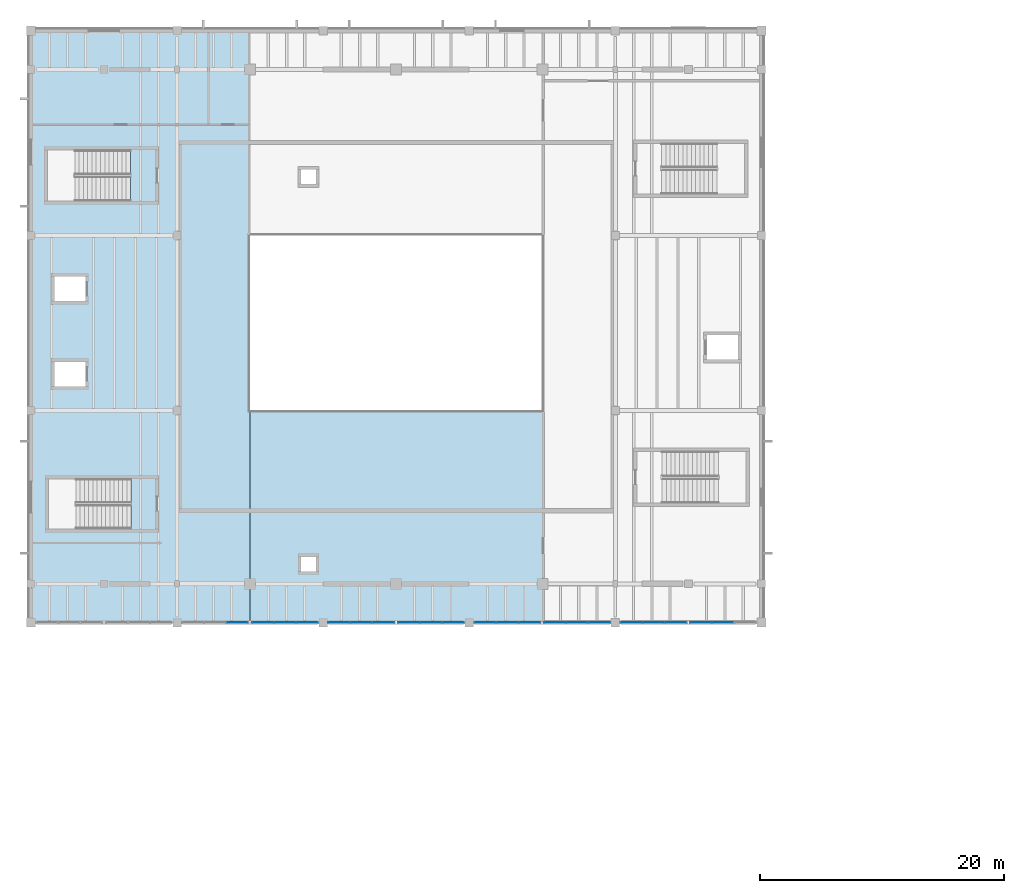
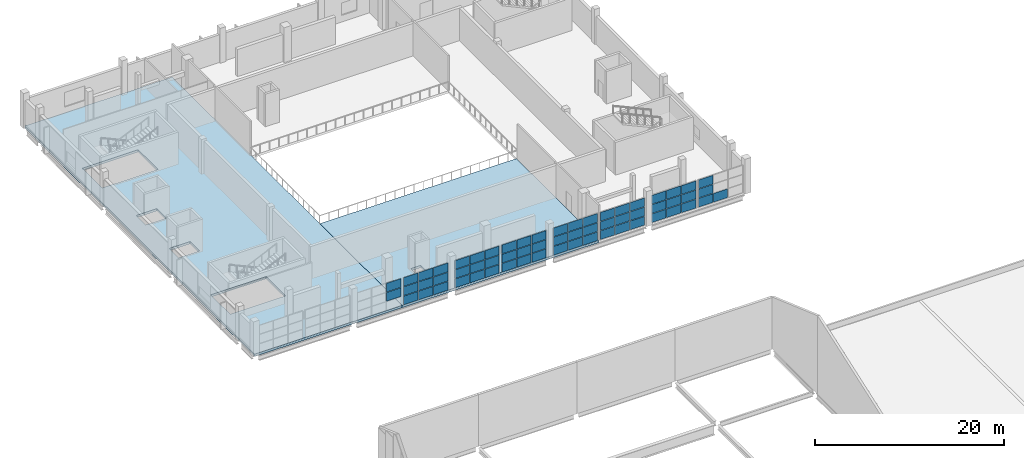
# One storey, part 41 of 63: 60 plates, 2 slabs, 8 elements without a shape of their own.
"""IFC4 building model written with IfcOpenShell, lengths in metres."""

import ifcopenshell
import ifcopenshell.guid

model = None  # the IFC model being written
_history = None  # IfcOwnerHistory: only IFC2X3 demands one
_inside = {}  # id of a spatial element -> (the spatial element, [elements in it])
_under = {}  # id of a project, library or spatial element -> (it, [spatial elements below it])
_declared = {}  # id of a project -> (the project, [libraries it declares])
_typed = {}  # id of a type object -> (the type object, [elements of that type])
_made_of = {}  # id of a material, layer set ... -> (it, [elements and type objects made of it])


def new_model(schema):
    """Start an empty IFC model of exactly this schema.

    Asked for "IFC4X3", IfcOpenShell would pick the latest addendum, in which some entities
    have other attributes; the version numbers below select the first issue.
    IFC2X3 requires an IfcOwnerHistory on every rooted entity: one is made here for all.
    """
    global model, _history
    if schema == "IFC4X3":
        model = ifcopenshell.file(schema_version=(4, 3, 0, 0))
    else:
        model = ifcopenshell.file(schema=schema)
    _inside.clear()
    _under.clear()
    _declared.clear()
    _typed.clear()
    _made_of.clear()
    _history = None
    if model.schema == "IFC2X3":
        org = make("IfcOrganization", Name="unknown")
        user = make(
            "IfcPersonAndOrganization",
            ThePerson=make("IfcPerson", FamilyName="unknown"),
            TheOrganization=org,
        )
        app = make(
            "IfcApplication",
            ApplicationDeveloper=org,
            Version="unknown",
            ApplicationFullName="unknown",
            ApplicationIdentifier="unknown",
        )
        _history = make(
            "IfcOwnerHistory",
            OwningUser=user,
            OwningApplication=app,
            ChangeAction="ADDED",
            CreationDate=0,
        )
    return model


def make(cls, **values):
    """One entity of the class cls with the attributes given. An attribute that is None is left unset."""
    return model.create_entity(
        cls, **{name: value for name, value in values.items() if value is not None}
    )


def rooted(cls, **values):
    """An entity with a GlobalId (a new one), such as an element, a storey or a relation."""
    return make(cls, GlobalId=ifcopenshell.guid.new(), OwnerHistory=_history, **values)


def si_unit(unit_type, name, prefix=None):
    """IfcSIUnit, for example si_unit("LENGTHUNIT", "METRE", prefix="MILLI")."""
    return make("IfcSIUnit", UnitType=unit_type, Prefix=prefix, Name=name)


def assignment(units):
    """IfcUnitAssignment: the units of a project."""
    return None if units is None else make("IfcUnitAssignment", Units=units)


def point(xyz):
    """IfcCartesianPoint."""
    return None if xyz is None else make("IfcCartesianPoint", Coordinates=xyz)


def direction(xyz):
    """IfcDirection."""
    return None if xyz is None else make("IfcDirection", DirectionRatios=xyz)


def frame(location, z_axis=None, x_axis=None):
    """IfcAxis2Placement3D, a coordinate frame: its origin and axes. An axis left out is left unset."""
    return make(
        "IfcAxis2Placement3D",
        Location=point(location),
        Axis=direction(z_axis),
        RefDirection=direction(x_axis),
    )


def frame_2d(location, x_axis=None):
    """IfcAxis2Placement2D, a coordinate frame in the plane: its origin and x axis."""
    return make(
        "IfcAxis2Placement2D", Location=point(location), RefDirection=direction(x_axis)
    )


def origin():
    """The frame at (0, 0, 0) with its axes left unset."""
    return frame((0.0, 0.0, 0.0))


def origin_2d():
    """The frame at (0, 0) in the plane with its x axis left unset."""
    return frame_2d((0.0, 0.0))


def place(relative_to, where):
    """IfcLocalPlacement: puts the frame where relative to a parent placement (None: the world)."""
    return make(
        "IfcLocalPlacement", PlacementRelTo=relative_to, RelativePlacement=where
    )


def context(
    kind, dimensions, precision=None, world=None, true_north=None, identifier=None
):
    """IfcGeometricRepresentationContext, for example the 3D "Model" context."""
    return make(
        "IfcGeometricRepresentationContext",
        ContextIdentifier=identifier,
        ContextType=kind,
        CoordinateSpaceDimension=dimensions,
        Precision=precision,
        WorldCoordinateSystem=world,
        TrueNorth=true_north,
    )


def subcontext(parent, identifier, kind, view, scale=None):
    """IfcGeometricRepresentationSubContext, for example "Body" below "Model"."""
    return make(
        "IfcGeometricRepresentationSubContext",
        ContextIdentifier=identifier,
        ContextType=kind,
        ParentContext=parent,
        TargetScale=scale,
        TargetView=view,
    )


def project(units=None, contexts=None):
    """IfcProject with its units and contexts."""
    return rooted(
        "IfcProject",
        Name="project",
        RepresentationContexts=contexts,
        UnitsInContext=assignment(units),
    )


def spatial(cls, under=None, at=None, **own):
    """A site, building, storey or space (cls), placed at a placement, below another one or the project."""
    s = rooted(cls, ObjectPlacement=at, **own)
    if under is not None:
        _under.setdefault(under.id(), (under, []))[1].append(s)
    return s


def polyline(points):
    """IfcPolyline through the points."""
    return make("IfcPolyline", Points=[point(p) for p in points])


def profile(cls, at=None, kind="AREA", **sizes):
    """A parametric profile (cls). Its sizes go by their IFC names, for example OverallWidth=200.0."""
    return make(cls, ProfileType=kind, Position=at, **sizes)


def rectangle(**sizes):
    """IfcRectangleProfileDef."""
    return profile("IfcRectangleProfileDef", **sizes)


def outline(outer, holes=None, kind="AREA"):
    """IfcArbitraryClosedProfileDef: a profile drawn as a closed curve; with holes, ...WithVoids."""
    if holes is None:
        return make("IfcArbitraryClosedProfileDef", ProfileType=kind, OuterCurve=outer)
    return make(
        "IfcArbitraryProfileDefWithVoids",
        ProfileType=kind,
        OuterCurve=outer,
        InnerCurves=holes,
    )


def extrude(swept, where, along, depth):
    """IfcExtrudedAreaSolid: the profile swept, set in the frame where, extruded along a direction by depth."""
    return make(
        "IfcExtrudedAreaSolid",
        SweptArea=swept,
        Position=where,
        ExtrudedDirection=direction(along),
        Depth=depth,
    )


def shape(context_of_items, identifier, shape_type, items):
    """IfcShapeRepresentation: the items that make up one representation, for example the "Body"."""
    return make(
        "IfcShapeRepresentation",
        ContextOfItems=context_of_items,
        RepresentationIdentifier=identifier,
        RepresentationType=shape_type,
        Items=items,
    )


def material(Name=None, Category=None):
    """IfcMaterial."""
    return make("IfcMaterial", Name=Name, Category=Category)


def layer(
    of_material, thickness, ventilated=None, Name=None, Category=None, Priority=None
):
    """IfcMaterialLayer: one layer of a wall or slab, of a material (None: an air gap)."""
    return make(
        "IfcMaterialLayer",
        Material=of_material,
        LayerThickness=thickness,
        IsVentilated=ventilated,
        Name=Name,
        Category=Category,
        Priority=Priority,
    )


def layer_set(layers, Name=None):
    """IfcMaterialLayerSet."""
    return make("IfcMaterialLayerSet", MaterialLayers=layers, LayerSetName=Name)


def made_of(thing, what):
    """Note that an element or type object is made of a material, layer set ...; save() writes the relation."""
    if what is not None:
        _made_of.setdefault(what.id(), (what, []))[1].append(thing)
    return thing


def type_object(cls, material=None, **own):
    """A type object (cls), such as IfcWallType, which elements share."""
    return made_of(rooted(cls, **own), material)


def element(
    cls,
    number,
    at=None,
    inside=None,
    cuts=None,
    type_object=None,
    material=None,
    context=None,
    identifier="Body",
    shape_type=None,
    held_by="IfcProductDefinitionShape",
    body=None,
    shapes=None,
    **own,
):
    """One element of the class cls, such as IfcWall. Its Tag is "e" and its number.

    at: its placement. inside: the storey or other place that contains it. cuts: it is an
    opening in that element (IfcRelVoidsElement). A single representation is given by context,
    identifier, shape_type and body (its items); several are given by shapes. held_by: the class
    of the entity that holds the representations. save() writes the other relations.
    """
    e = rooted(cls, Tag="e%d" % number, ObjectPlacement=at, **own)
    if body is not None:
        shapes = [shape(context, identifier, shape_type, body)]
    if shapes is not None:
        e.Representation = make(held_by, Representations=shapes)
    if inside is not None:
        _inside.setdefault(inside.id(), (inside, []))[1].append(e)
    if cuts is not None:
        rooted(
            "IfcRelVoidsElement", RelatingBuildingElement=cuts, RelatedOpeningElement=e
        )
    if type_object is not None:
        _typed.setdefault(type_object.id(), (type_object, []))[1].append(e)
    return made_of(e, material)


def aggregate(whole, parts):
    """IfcRelAggregates: a whole, such as a stair, and the parts it consists of."""
    return rooted("IfcRelAggregates", RelatingObject=whole, RelatedObjects=parts)


def save(model, path):
    """Write the relations noted so far, then the file.

    IfcRelAggregates (storeys below a building ...), IfcRelContainedInSpatialStructure (elements
    in a storey), IfcRelDefinesByType, IfcRelAssociatesMaterial and IfcRelDeclares: one each for
    every whole, place, type object, material and project.
    """
    for whole, parts in _under.values():
        aggregate(whole, parts)
    for where, things in _inside.values():
        rooted(
            "IfcRelContainedInSpatialStructure",
            RelatedElements=things,
            RelatingStructure=where,
        )
    for kind, things in _typed.values():
        rooted("IfcRelDefinesByType", RelatedObjects=things, RelatingType=kind)
    for what, things in _made_of.values():
        rooted("IfcRelAssociatesMaterial", RelatedObjects=things, RelatingMaterial=what)
    for by, libraries in _declared.values():
        rooted("IfcRelDeclares", RelatingContext=by, RelatedDefinitions=libraries)
    model.write(path)


model = new_model("IFC4")

# Units and contexts
model_context = context("Model", 3, precision=1e-05, world=origin(), true_north=direction((0.0, 1.0)))
body_context = subcontext(model_context, "Body", "Model", "MODEL_VIEW")
ifc_project = project(units=[si_unit("LENGTHUNIT", "METRE"), si_unit("AREAUNIT", "SQUARE_METRE"), si_unit("VOLUMEUNIT", "CUBIC_METRE"), si_unit("PLANEANGLEUNIT", "RADIAN"), si_unit("MASSUNIT", "GRAM", prefix="KILO")], contexts=[model_context])

# Site, building, storey
site_placement = place(None, origin())
site = spatial("IfcSite", under=ifc_project, at=site_placement, CompositionType="ELEMENT")
building_placement = place(site_placement, origin())
building = spatial("IfcBuilding", under=site, at=building_placement, Name="Kelmvaro Bay Concert Hall", CompositionType="ELEMENT")
storey_placement = place(building_placement, frame((0.0, 0.0, 13.800048828125)))
storey = spatial("IfcBuildingStorey", under=building, at=storey_placement, Name="L03", CompositionType="ELEMENT", Elevation=13.800048828125)

# Slabs
ifc_material_1 = material(Name="Concrete C40/50", Category="concrete")
ifc_layer_1 = layer(ifc_material_1, 0.300048828125)
ifc_layer_set_1 = layer_set([ifc_layer_1], Name="Concrete C40/50")
slab_type = type_object("IfcSlabType", Name="Auditorium Tier Structural Slab 300", PredefinedType="FLOOR", material=ifc_layer_set_1)
slab_1_placement = place(storey_placement, frame((0.0, 0.0, -0.300048828125)))
element("IfcSlab", 1, at=slab_1_placement, inside=storey, type_object=slab_type, Name="L03 Structural Slab V1-W", PredefinedType="FLOOR", context=body_context, shape_type="SweptSolid", body=[
    extrude(outline(polyline([(0.0, 65.39990234375), (18.0, 65.39990234375), (18.0, 114.0), (0.0, 114.0), (0.0, 65.39990234375)]), holes=[polyline([(1.45068359375, 73.090576171875), (8.219482421875, 73.090576171875), (8.219482421875, 77.199462890625), (1.45068359375, 77.199462890625), (1.45068359375, 73.090576171875)]), polyline([(1.3505859375, 100.010498046875), (8.179443359375, 100.010498046875), (8.179443359375, 104.199462890625), (1.3505859375, 104.199462890625), (1.3505859375, 100.010498046875)]), polyline([(1.925048828125, 84.800048828125), (4.47509765625, 84.800048828125), (4.47509765625, 86.800048828125), (1.925048828125, 86.800048828125), (1.925048828125, 84.800048828125)]), polyline([(1.925048828125, 91.800048828125), (4.47509765625, 91.800048828125), (4.47509765625, 93.800048828125), (1.925048828125, 93.800048828125), (1.925048828125, 91.800048828125)])]), origin(), (0.0, 0.0, 1.0), 0.300048828125),
])
slab_2_placement = place(storey_placement, frame((0.0, 0.0, -0.300048828125)))
element("IfcSlab", 2, at=slab_2_placement, inside=storey, type_object=slab_type, Name="L03 Structural Slab V1-M", PredefinedType="FLOOR", context=body_context, shape_type="SweptSolid", body=[
    extrude(outline(polyline([(18.0, 65.39990234375), (42.0, 65.39990234375), (42.0, 82.800048828125), (18.0, 82.800048828125), (18.0, 65.39990234375)]), holes=[polyline([(22.199951171875, 69.60009765625), (23.39990234375, 69.60009765625), (23.39990234375, 70.800048828125), (22.199951171875, 70.800048828125), (22.199951171875, 69.60009765625)])]), origin(), (0.0, 0.0, 1.0), 0.300048828125),
])

# Curtain wall, plates
ifc_material_2 = material(Name="Anodised Aluminium and Low-E Insulated Glazing", Category="aluminium")
curtain_wall_type = type_object("IfcCurtainWallType", Name="Symphony South Gallery Curtain Wall 3920", PredefinedType="USERDEFINED", material=ifc_material_2)
curtain_wall_1_placement = place(storey_placement, origin())
curtain_wall_1 = element("IfcCurtainWall", 3, at=curtain_wall_1_placement, inside=storey, type_object=curtain_wall_type, Name="Unitised Curtain Wall CW-L03-022", ObjectType="UNITISED GLAZING", PredefinedType="USERDEFINED")
ifc_material_3 = material(Name="Laminated Low-E Insulated Glass", Category="glass")
ifc_layer_2 = layer(ifc_material_3, 1.85009765625)
ifc_layer_set_2 = layer_set([ifc_layer_2], Name="Laminated Low-E Insulated Glass")
plate_type = type_object("IfcPlateType", Name="Symphony Foyer Triple Acoustic Glass 60", PredefinedType="CURTAIN_PANEL", material=ifc_layer_set_2)
plate_1_placement = place(storey_placement, frame((16.95068359375, 65.39990234375, 1.22216796875), z_axis=(0.0, 0.0, 1.0), x_axis=(-1.0, 0.0, 0.0)))
plate_1 = element("IfcPlate", 4, at=plate_1_placement, type_object=plate_type, Name="CW-L03-022 Insulated Glazing Panel 01-2", PredefinedType="CURTAIN_PANEL", context=body_context, shape_type="SweptSolid", body=[
    extrude(rectangle(XDim=1.75341796875, YDim=0.06005859375, at=origin_2d()), origin(), (0.0, 0.0, 1.0), 1.12451171875),
])
plate_2_placement = place(storey_placement, frame((16.95068359375, 65.39990234375, 2.41162109375), z_axis=(0.0, 0.0, 1.0), x_axis=(-1.0, 0.0, 0.0)))
plate_2 = element("IfcPlate", 5, at=plate_2_placement, type_object=plate_type, Name="CW-L03-022 Insulated Glazing Panel 01-3", PredefinedType="CURTAIN_PANEL", context=body_context, shape_type="SweptSolid", body=[
    extrude(rectangle(XDim=1.75341796875, YDim=0.06005859375, at=origin_2d()), origin(), (0.0, 0.0, 1.0), 1.124755859375),
])
aggregate(curtain_wall_1, [plate_1, plate_2])

curtain_wall_2_placement = place(storey_placement, origin())
curtain_wall_2 = element("IfcCurtainWall", 6, at=curtain_wall_2_placement, inside=storey, type_object=curtain_wall_type, Name="Unitised Curtain Wall CW-L03-023", ObjectType="UNITISED GLAZING", PredefinedType="USERDEFINED")
plate_3_placement = place(storey_placement, frame((22.685791015625, 65.39990234375, 0.0322265625), z_axis=(0.0, 0.0, 1.0), x_axis=(-1.0, 0.0, 0.0)))
plate_3 = element("IfcPlate", 7, at=plate_3_placement, type_object=plate_type, Name="CW-L03-023 Insulated Glazing Panel 01-1", PredefinedType="CURTAIN_PANEL", context=body_context, shape_type="SweptSolid", body=[
    extrude(rectangle(XDim=1.75341796875, YDim=0.06005859375, at=origin_2d()), origin(), (0.0, 0.0, 1.0), 1.124755859375),
])
plate_4_placement = place(storey_placement, frame((22.685791015625, 65.39990234375, 1.22216796875), z_axis=(0.0, 0.0, 1.0), x_axis=(-1.0, 0.0, 0.0)))
plate_4 = element("IfcPlate", 8, at=plate_4_placement, type_object=plate_type, Name="CW-L03-023 Insulated Glazing Panel 01-2", PredefinedType="CURTAIN_PANEL", context=body_context, shape_type="SweptSolid", body=[
    extrude(rectangle(XDim=1.75341796875, YDim=0.06005859375, at=origin_2d()), origin(), (0.0, 0.0, 1.0), 1.12451171875),
])
plate_5_placement = place(storey_placement, frame((22.685791015625, 65.39990234375, 2.41162109375), z_axis=(0.0, 0.0, 1.0), x_axis=(-1.0, 0.0, 0.0)))
plate_5 = element("IfcPlate", 9, at=plate_5_placement, type_object=plate_type, Name="CW-L03-023 Insulated Glazing Panel 01-3", PredefinedType="CURTAIN_PANEL", context=body_context, shape_type="SweptSolid", body=[
    extrude(rectangle(XDim=1.75341796875, YDim=0.06005859375, at=origin_2d()), origin(), (0.0, 0.0, 1.0), 1.124755859375),
])
plate_6_placement = place(storey_placement, frame((20.867431640625, 65.39990234375, 0.0322265625), z_axis=(0.0, 0.0, 1.0), x_axis=(-1.0, 0.0, 0.0)))
plate_6 = element("IfcPlate", 10, at=plate_6_placement, type_object=plate_type, Name="CW-L03-023 Insulated Glazing Panel 02-1", PredefinedType="CURTAIN_PANEL", context=body_context, shape_type="SweptSolid", body=[
    extrude(rectangle(XDim=1.75341796875, YDim=0.06005859375, at=origin_2d()), origin(), (0.0, 0.0, 1.0), 1.124755859375),
])
plate_7_placement = place(storey_placement, frame((20.867431640625, 65.39990234375, 1.22216796875), z_axis=(0.0, 0.0, 1.0), x_axis=(-1.0, 0.0, 0.0)))
plate_7 = element("IfcPlate", 11, at=plate_7_placement, type_object=plate_type, Name="CW-L03-023 Insulated Glazing Panel 02-2", PredefinedType="CURTAIN_PANEL", context=body_context, shape_type="SweptSolid", body=[
    extrude(rectangle(XDim=1.75341796875, YDim=0.06005859375, at=origin_2d()), origin(), (0.0, 0.0, 1.0), 1.12451171875),
])
plate_8_placement = place(storey_placement, frame((20.867431640625, 65.39990234375, 2.41162109375), z_axis=(0.0, 0.0, 1.0), x_axis=(-1.0, 0.0, 0.0)))
plate_8 = element("IfcPlate", 12, at=plate_8_placement, type_object=plate_type, Name="CW-L03-023 Insulated Glazing Panel 02-3", PredefinedType="CURTAIN_PANEL", context=body_context, shape_type="SweptSolid", body=[
    extrude(rectangle(XDim=1.75341796875, YDim=0.06005859375, at=origin_2d()), origin(), (0.0, 0.0, 1.0), 1.124755859375),
])
plate_9_placement = place(storey_placement, frame((19.04931640625, 65.39990234375, 0.0322265625), z_axis=(0.0, 0.0, 1.0), x_axis=(-1.0, 0.0, 0.0)))
plate_9 = element("IfcPlate", 13, at=plate_9_placement, type_object=plate_type, Name="CW-L03-023 Insulated Glazing Panel 03-1", PredefinedType="CURTAIN_PANEL", context=body_context, shape_type="SweptSolid", body=[
    extrude(rectangle(XDim=1.75341796875, YDim=0.06005859375, at=origin_2d()), origin(), (0.0, 0.0, 1.0), 1.124755859375),
])
plate_10_placement = place(storey_placement, frame((19.04931640625, 65.39990234375, 1.22216796875), z_axis=(0.0, 0.0, 1.0), x_axis=(-1.0, 0.0, 0.0)))
plate_10 = element("IfcPlate", 14, at=plate_10_placement, type_object=plate_type, Name="CW-L03-023 Insulated Glazing Panel 03-2", PredefinedType="CURTAIN_PANEL", context=body_context, shape_type="SweptSolid", body=[
    extrude(rectangle(XDim=1.75341796875, YDim=0.06005859375, at=origin_2d()), origin(), (0.0, 0.0, 1.0), 1.12451171875),
])
plate_11_placement = place(storey_placement, frame((19.04931640625, 65.39990234375, 2.41162109375), z_axis=(0.0, 0.0, 1.0), x_axis=(-1.0, 0.0, 0.0)))
plate_11 = element("IfcPlate", 15, at=plate_11_placement, type_object=plate_type, Name="CW-L03-023 Insulated Glazing Panel 03-3", PredefinedType="CURTAIN_PANEL", context=body_context, shape_type="SweptSolid", body=[
    extrude(rectangle(XDim=1.75341796875, YDim=0.06005859375, at=origin_2d()), origin(), (0.0, 0.0, 1.0), 1.124755859375),
])
aggregate(curtain_wall_2, [plate_3, plate_4, plate_5, plate_6, plate_7, plate_8, plate_9, plate_10, plate_11])

curtain_wall_3_placement = place(storey_placement, origin())
curtain_wall_3 = element("IfcCurtainWall", 16, at=curtain_wall_3_placement, inside=storey, type_object=curtain_wall_type, Name="Unitised Curtain Wall CW-L03-024", ObjectType="UNITISED GLAZING", PredefinedType="USERDEFINED")
plate_12_placement = place(storey_placement, frame((28.95068359375, 65.39990234375, 0.0322265625), z_axis=(0.0, 0.0, 1.0), x_axis=(-1.0, 0.0, 0.0)))
plate_12 = element("IfcPlate", 17, at=plate_12_placement, type_object=plate_type, Name="CW-L03-024 Insulated Glazing Panel 01-1", PredefinedType="CURTAIN_PANEL", context=body_context, shape_type="SweptSolid", body=[
    extrude(rectangle(XDim=1.75341796875, YDim=0.06005859375, at=origin_2d()), origin(), (0.0, 0.0, 1.0), 1.124755859375),
])
plate_13_placement = place(storey_placement, frame((28.95068359375, 65.39990234375, 1.22216796875), z_axis=(0.0, 0.0, 1.0), x_axis=(-1.0, 0.0, 0.0)))
plate_13 = element("IfcPlate", 18, at=plate_13_placement, type_object=plate_type, Name="CW-L03-024 Insulated Glazing Panel 01-2", PredefinedType="CURTAIN_PANEL", context=body_context, shape_type="SweptSolid", body=[
    extrude(rectangle(XDim=1.75341796875, YDim=0.06005859375, at=origin_2d()), origin(), (0.0, 0.0, 1.0), 1.12451171875),
])
plate_14_placement = place(storey_placement, frame((28.95068359375, 65.39990234375, 2.41162109375), z_axis=(0.0, 0.0, 1.0), x_axis=(-1.0, 0.0, 0.0)))
plate_14 = element("IfcPlate", 19, at=plate_14_placement, type_object=plate_type, Name="CW-L03-024 Insulated Glazing Panel 01-3", PredefinedType="CURTAIN_PANEL", context=body_context, shape_type="SweptSolid", body=[
    extrude(rectangle(XDim=1.75341796875, YDim=0.06005859375, at=origin_2d()), origin(), (0.0, 0.0, 1.0), 1.124755859375),
])
plate_15_placement = place(storey_placement, frame((27.132568359375, 65.39990234375, 0.0322265625), z_axis=(0.0, 0.0, 1.0), x_axis=(-1.0, 0.0, 0.0)))
plate_15 = element("IfcPlate", 20, at=plate_15_placement, type_object=plate_type, Name="CW-L03-024 Insulated Glazing Panel 02-1", PredefinedType="CURTAIN_PANEL", context=body_context, shape_type="SweptSolid", body=[
    extrude(rectangle(XDim=1.75341796875, YDim=0.06005859375, at=origin_2d()), origin(), (0.0, 0.0, 1.0), 1.124755859375),
])
plate_16_placement = place(storey_placement, frame((27.132568359375, 65.39990234375, 1.22216796875), z_axis=(0.0, 0.0, 1.0), x_axis=(-1.0, 0.0, 0.0)))
plate_16 = element("IfcPlate", 21, at=plate_16_placement, type_object=plate_type, Name="CW-L03-024 Insulated Glazing Panel 02-2", PredefinedType="CURTAIN_PANEL", context=body_context, shape_type="SweptSolid", body=[
    extrude(rectangle(XDim=1.75341796875, YDim=0.06005859375, at=origin_2d()), origin(), (0.0, 0.0, 1.0), 1.12451171875),
])
plate_17_placement = place(storey_placement, frame((27.132568359375, 65.39990234375, 2.41162109375), z_axis=(0.0, 0.0, 1.0), x_axis=(-1.0, 0.0, 0.0)))
plate_17 = element("IfcPlate", 22, at=plate_17_placement, type_object=plate_type, Name="CW-L03-024 Insulated Glazing Panel 02-3", PredefinedType="CURTAIN_PANEL", context=body_context, shape_type="SweptSolid", body=[
    extrude(rectangle(XDim=1.75341796875, YDim=0.06005859375, at=origin_2d()), origin(), (0.0, 0.0, 1.0), 1.124755859375),
])
plate_18_placement = place(storey_placement, frame((25.314208984375, 65.39990234375, 0.0322265625), z_axis=(0.0, 0.0, 1.0), x_axis=(-1.0, 0.0, 0.0)))
plate_18 = element("IfcPlate", 23, at=plate_18_placement, type_object=plate_type, Name="CW-L03-024 Insulated Glazing Panel 03-1", PredefinedType="CURTAIN_PANEL", context=body_context, shape_type="SweptSolid", body=[
    extrude(rectangle(XDim=1.75341796875, YDim=0.06005859375, at=origin_2d()), origin(), (0.0, 0.0, 1.0), 1.124755859375),
])
plate_19_placement = place(storey_placement, frame((25.314208984375, 65.39990234375, 1.22216796875), z_axis=(0.0, 0.0, 1.0), x_axis=(-1.0, 0.0, 0.0)))
plate_19 = element("IfcPlate", 24, at=plate_19_placement, type_object=plate_type, Name="CW-L03-024 Insulated Glazing Panel 03-2", PredefinedType="CURTAIN_PANEL", context=body_context, shape_type="SweptSolid", body=[
    extrude(rectangle(XDim=1.75341796875, YDim=0.06005859375, at=origin_2d()), origin(), (0.0, 0.0, 1.0), 1.12451171875),
])
plate_20_placement = place(storey_placement, frame((25.314208984375, 65.39990234375, 2.41162109375), z_axis=(0.0, 0.0, 1.0), x_axis=(-1.0, 0.0, 0.0)))
plate_20 = element("IfcPlate", 25, at=plate_20_placement, type_object=plate_type, Name="CW-L03-024 Insulated Glazing Panel 03-3", PredefinedType="CURTAIN_PANEL", context=body_context, shape_type="SweptSolid", body=[
    extrude(rectangle(XDim=1.75341796875, YDim=0.06005859375, at=origin_2d()), origin(), (0.0, 0.0, 1.0), 1.124755859375),
])
aggregate(curtain_wall_3, [plate_12, plate_13, plate_14, plate_15, plate_16, plate_17, plate_18, plate_19, plate_20])

curtain_wall_4_placement = place(storey_placement, origin())
curtain_wall_4 = element("IfcCurtainWall", 26, at=curtain_wall_4_placement, inside=storey, type_object=curtain_wall_type, Name="Unitised Curtain Wall CW-L03-025", ObjectType="UNITISED GLAZING", PredefinedType="USERDEFINED")
plate_21_placement = place(storey_placement, frame((34.685791015625, 65.39990234375, 0.0322265625), z_axis=(0.0, 0.0, 1.0), x_axis=(-1.0, 0.0, 0.0)))
plate_21 = element("IfcPlate", 27, at=plate_21_placement, type_object=plate_type, Name="CW-L03-025 Insulated Glazing Panel 01-1", PredefinedType="CURTAIN_PANEL", context=body_context, shape_type="SweptSolid", body=[
    extrude(rectangle(XDim=1.75341796875, YDim=0.06005859375, at=origin_2d()), origin(), (0.0, 0.0, 1.0), 1.124755859375),
])
plate_22_placement = place(storey_placement, frame((34.685791015625, 65.39990234375, 1.22216796875), z_axis=(0.0, 0.0, 1.0), x_axis=(-1.0, 0.0, 0.0)))
plate_22 = element("IfcPlate", 28, at=plate_22_placement, type_object=plate_type, Name="CW-L03-025 Insulated Glazing Panel 01-2", PredefinedType="CURTAIN_PANEL", context=body_context, shape_type="SweptSolid", body=[
    extrude(rectangle(XDim=1.75341796875, YDim=0.06005859375, at=origin_2d()), origin(), (0.0, 0.0, 1.0), 1.12451171875),
])
plate_23_placement = place(storey_placement, frame((34.685791015625, 65.39990234375, 2.41162109375), z_axis=(0.0, 0.0, 1.0), x_axis=(-1.0, 0.0, 0.0)))
plate_23 = element("IfcPlate", 29, at=plate_23_placement, type_object=plate_type, Name="CW-L03-025 Insulated Glazing Panel 01-3", PredefinedType="CURTAIN_PANEL", context=body_context, shape_type="SweptSolid", body=[
    extrude(rectangle(XDim=1.75341796875, YDim=0.06005859375, at=origin_2d()), origin(), (0.0, 0.0, 1.0), 1.124755859375),
])
plate_24_placement = place(storey_placement, frame((32.867431640625, 65.39990234375, 0.0322265625), z_axis=(0.0, 0.0, 1.0), x_axis=(-1.0, 0.0, 0.0)))
plate_24 = element("IfcPlate", 30, at=plate_24_placement, type_object=plate_type, Name="CW-L03-025 Insulated Glazing Panel 02-1", PredefinedType="CURTAIN_PANEL", context=body_context, shape_type="SweptSolid", body=[
    extrude(rectangle(XDim=1.75341796875, YDim=0.06005859375, at=origin_2d()), origin(), (0.0, 0.0, 1.0), 1.124755859375),
])
plate_25_placement = place(storey_placement, frame((32.867431640625, 65.39990234375, 1.22216796875), z_axis=(0.0, 0.0, 1.0), x_axis=(-1.0, 0.0, 0.0)))
plate_25 = element("IfcPlate", 31, at=plate_25_placement, type_object=plate_type, Name="CW-L03-025 Insulated Glazing Panel 02-2", PredefinedType="CURTAIN_PANEL", context=body_context, shape_type="SweptSolid", body=[
    extrude(rectangle(XDim=1.75341796875, YDim=0.06005859375, at=origin_2d()), origin(), (0.0, 0.0, 1.0), 1.12451171875),
])
plate_26_placement = place(storey_placement, frame((32.867431640625, 65.39990234375, 2.41162109375), z_axis=(0.0, 0.0, 1.0), x_axis=(-1.0, 0.0, 0.0)))
plate_26 = element("IfcPlate", 32, at=plate_26_placement, type_object=plate_type, Name="CW-L03-025 Insulated Glazing Panel 02-3", PredefinedType="CURTAIN_PANEL", context=body_context, shape_type="SweptSolid", body=[
    extrude(rectangle(XDim=1.75341796875, YDim=0.06005859375, at=origin_2d()), origin(), (0.0, 0.0, 1.0), 1.124755859375),
])
plate_27_placement = place(storey_placement, frame((31.04931640625, 65.39990234375, 0.0322265625), z_axis=(0.0, 0.0, 1.0), x_axis=(-1.0, 0.0, 0.0)))
plate_27 = element("IfcPlate", 33, at=plate_27_placement, type_object=plate_type, Name="CW-L03-025 Insulated Glazing Panel 03-1", PredefinedType="CURTAIN_PANEL", context=body_context, shape_type="SweptSolid", body=[
    extrude(rectangle(XDim=1.75341796875, YDim=0.06005859375, at=origin_2d()), origin(), (0.0, 0.0, 1.0), 1.124755859375),
])
plate_28_placement = place(storey_placement, frame((31.04931640625, 65.39990234375, 1.22216796875), z_axis=(0.0, 0.0, 1.0), x_axis=(-1.0, 0.0, 0.0)))
plate_28 = element("IfcPlate", 34, at=plate_28_placement, type_object=plate_type, Name="CW-L03-025 Insulated Glazing Panel 03-2", PredefinedType="CURTAIN_PANEL", context=body_context, shape_type="SweptSolid", body=[
    extrude(rectangle(XDim=1.75341796875, YDim=0.06005859375, at=origin_2d()), origin(), (0.0, 0.0, 1.0), 1.12451171875),
])
plate_29_placement = place(storey_placement, frame((31.04931640625, 65.39990234375, 2.41162109375), z_axis=(0.0, 0.0, 1.0), x_axis=(-1.0, 0.0, 0.0)))
plate_29 = element("IfcPlate", 35, at=plate_29_placement, type_object=plate_type, Name="CW-L03-025 Insulated Glazing Panel 03-3", PredefinedType="CURTAIN_PANEL", context=body_context, shape_type="SweptSolid", body=[
    extrude(rectangle(XDim=1.75341796875, YDim=0.06005859375, at=origin_2d()), origin(), (0.0, 0.0, 1.0), 1.124755859375),
])
aggregate(curtain_wall_4, [plate_21, plate_22, plate_23, plate_24, plate_25, plate_26, plate_27, plate_28, plate_29])

curtain_wall_5_placement = place(storey_placement, origin())
curtain_wall_5 = element("IfcCurtainWall", 36, at=curtain_wall_5_placement, inside=storey, type_object=curtain_wall_type, Name="Unitised Curtain Wall CW-L03-026", ObjectType="UNITISED GLAZING", PredefinedType="USERDEFINED")
plate_30_placement = place(storey_placement, frame((40.95068359375, 65.39990234375, 0.0322265625), z_axis=(0.0, 0.0, 1.0), x_axis=(-1.0, 0.0, 0.0)))
plate_30 = element("IfcPlate", 37, at=plate_30_placement, type_object=plate_type, Name="CW-L03-026 Insulated Glazing Panel 01-1", PredefinedType="CURTAIN_PANEL", context=body_context, shape_type="SweptSolid", body=[
    extrude(rectangle(XDim=1.75341796875, YDim=0.06005859375, at=origin_2d()), origin(), (0.0, 0.0, 1.0), 1.124755859375),
])
plate_31_placement = place(storey_placement, frame((40.95068359375, 65.39990234375, 1.22216796875), z_axis=(0.0, 0.0, 1.0), x_axis=(-1.0, 0.0, 0.0)))
plate_31 = element("IfcPlate", 38, at=plate_31_placement, type_object=plate_type, Name="CW-L03-026 Insulated Glazing Panel 01-2", PredefinedType="CURTAIN_PANEL", context=body_context, shape_type="SweptSolid", body=[
    extrude(rectangle(XDim=1.75341796875, YDim=0.06005859375, at=origin_2d()), origin(), (0.0, 0.0, 1.0), 1.12451171875),
])
plate_32_placement = place(storey_placement, frame((40.95068359375, 65.39990234375, 2.41162109375), z_axis=(0.0, 0.0, 1.0), x_axis=(-1.0, 0.0, 0.0)))
plate_32 = element("IfcPlate", 39, at=plate_32_placement, type_object=plate_type, Name="CW-L03-026 Insulated Glazing Panel 01-3", PredefinedType="CURTAIN_PANEL", context=body_context, shape_type="SweptSolid", body=[
    extrude(rectangle(XDim=1.75341796875, YDim=0.06005859375, at=origin_2d()), origin(), (0.0, 0.0, 1.0), 1.124755859375),
])
plate_33_placement = place(storey_placement, frame((39.132568359375, 65.39990234375, 0.0322265625), z_axis=(0.0, 0.0, 1.0), x_axis=(-1.0, 0.0, 0.0)))
plate_33 = element("IfcPlate", 40, at=plate_33_placement, type_object=plate_type, Name="CW-L03-026 Insulated Glazing Panel 02-1", PredefinedType="CURTAIN_PANEL", context=body_context, shape_type="SweptSolid", body=[
    extrude(rectangle(XDim=1.75341796875, YDim=0.06005859375, at=origin_2d()), origin(), (0.0, 0.0, 1.0), 1.124755859375),
])
plate_34_placement = place(storey_placement, frame((39.132568359375, 65.39990234375, 1.22216796875), z_axis=(0.0, 0.0, 1.0), x_axis=(-1.0, 0.0, 0.0)))
plate_34 = element("IfcPlate", 41, at=plate_34_placement, type_object=plate_type, Name="CW-L03-026 Insulated Glazing Panel 02-2", PredefinedType="CURTAIN_PANEL", context=body_context, shape_type="SweptSolid", body=[
    extrude(rectangle(XDim=1.75341796875, YDim=0.06005859375, at=origin_2d()), origin(), (0.0, 0.0, 1.0), 1.12451171875),
])
plate_35_placement = place(storey_placement, frame((39.132568359375, 65.39990234375, 2.41162109375), z_axis=(0.0, 0.0, 1.0), x_axis=(-1.0, 0.0, 0.0)))
plate_35 = element("IfcPlate", 42, at=plate_35_placement, type_object=plate_type, Name="CW-L03-026 Insulated Glazing Panel 02-3", PredefinedType="CURTAIN_PANEL", context=body_context, shape_type="SweptSolid", body=[
    extrude(rectangle(XDim=1.75341796875, YDim=0.06005859375, at=origin_2d()), origin(), (0.0, 0.0, 1.0), 1.124755859375),
])
plate_36_placement = place(storey_placement, frame((37.314208984375, 65.39990234375, 0.0322265625), z_axis=(0.0, 0.0, 1.0), x_axis=(-1.0, 0.0, 0.0)))
plate_36 = element("IfcPlate", 43, at=plate_36_placement, type_object=plate_type, Name="CW-L03-026 Insulated Glazing Panel 03-1", PredefinedType="CURTAIN_PANEL", context=body_context, shape_type="SweptSolid", body=[
    extrude(rectangle(XDim=1.75341796875, YDim=0.06005859375, at=origin_2d()), origin(), (0.0, 0.0, 1.0), 1.124755859375),
])
plate_37_placement = place(storey_placement, frame((37.314208984375, 65.39990234375, 1.22216796875), z_axis=(0.0, 0.0, 1.0), x_axis=(-1.0, 0.0, 0.0)))
plate_37 = element("IfcPlate", 44, at=plate_37_placement, type_object=plate_type, Name="CW-L03-026 Insulated Glazing Panel 03-2", PredefinedType="CURTAIN_PANEL", context=body_context, shape_type="SweptSolid", body=[
    extrude(rectangle(XDim=1.75341796875, YDim=0.06005859375, at=origin_2d()), origin(), (0.0, 0.0, 1.0), 1.12451171875),
])
plate_38_placement = place(storey_placement, frame((37.314208984375, 65.39990234375, 2.41162109375), z_axis=(0.0, 0.0, 1.0), x_axis=(-1.0, 0.0, 0.0)))
plate_38 = element("IfcPlate", 45, at=plate_38_placement, type_object=plate_type, Name="CW-L03-026 Insulated Glazing Panel 03-3", PredefinedType="CURTAIN_PANEL", context=body_context, shape_type="SweptSolid", body=[
    extrude(rectangle(XDim=1.75341796875, YDim=0.06005859375, at=origin_2d()), origin(), (0.0, 0.0, 1.0), 1.124755859375),
])
aggregate(curtain_wall_5, [plate_30, plate_31, plate_32, plate_33, plate_34, plate_35, plate_36, plate_37, plate_38])

curtain_wall_6_placement = place(storey_placement, origin())
curtain_wall_6 = element("IfcCurtainWall", 46, at=curtain_wall_6_placement, inside=storey, type_object=curtain_wall_type, Name="Unitised Curtain Wall CW-L03-027", ObjectType="UNITISED GLAZING", PredefinedType="USERDEFINED")
plate_39_placement = place(storey_placement, frame((46.685791015625, 65.39990234375, 0.0322265625), z_axis=(0.0, 0.0, 1.0), x_axis=(-1.0, 0.0, 0.0)))
plate_39 = element("IfcPlate", 47, at=plate_39_placement, type_object=plate_type, Name="CW-L03-027 Insulated Glazing Panel 01-1", PredefinedType="CURTAIN_PANEL", context=body_context, shape_type="SweptSolid", body=[
    extrude(rectangle(XDim=1.75341796875, YDim=0.06005859375, at=origin_2d()), origin(), (0.0, 0.0, 1.0), 1.124755859375),
])
plate_40_placement = place(storey_placement, frame((46.685791015625, 65.39990234375, 1.22216796875), z_axis=(0.0, 0.0, 1.0), x_axis=(-1.0, 0.0, 0.0)))
plate_40 = element("IfcPlate", 48, at=plate_40_placement, type_object=plate_type, Name="CW-L03-027 Insulated Glazing Panel 01-2", PredefinedType="CURTAIN_PANEL", context=body_context, shape_type="SweptSolid", body=[
    extrude(rectangle(XDim=1.75341796875, YDim=0.06005859375, at=origin_2d()), origin(), (0.0, 0.0, 1.0), 1.12451171875),
])
plate_41_placement = place(storey_placement, frame((46.685791015625, 65.39990234375, 2.41162109375), z_axis=(0.0, 0.0, 1.0), x_axis=(-1.0, 0.0, 0.0)))
plate_41 = element("IfcPlate", 49, at=plate_41_placement, type_object=plate_type, Name="CW-L03-027 Insulated Glazing Panel 01-3", PredefinedType="CURTAIN_PANEL", context=body_context, shape_type="SweptSolid", body=[
    extrude(rectangle(XDim=1.75341796875, YDim=0.06005859375, at=origin_2d()), origin(), (0.0, 0.0, 1.0), 1.124755859375),
])
plate_42_placement = place(storey_placement, frame((44.867431640625, 65.39990234375, 0.0322265625), z_axis=(0.0, 0.0, 1.0), x_axis=(-1.0, 0.0, 0.0)))
plate_42 = element("IfcPlate", 50, at=plate_42_placement, type_object=plate_type, Name="CW-L03-027 Insulated Glazing Panel 02-1", PredefinedType="CURTAIN_PANEL", context=body_context, shape_type="SweptSolid", body=[
    extrude(rectangle(XDim=1.75341796875, YDim=0.06005859375, at=origin_2d()), origin(), (0.0, 0.0, 1.0), 1.124755859375),
])
plate_43_placement = place(storey_placement, frame((44.867431640625, 65.39990234375, 1.22216796875), z_axis=(0.0, 0.0, 1.0), x_axis=(-1.0, 0.0, 0.0)))
plate_43 = element("IfcPlate", 51, at=plate_43_placement, type_object=plate_type, Name="CW-L03-027 Insulated Glazing Panel 02-2", PredefinedType="CURTAIN_PANEL", context=body_context, shape_type="SweptSolid", body=[
    extrude(rectangle(XDim=1.75341796875, YDim=0.06005859375, at=origin_2d()), origin(), (0.0, 0.0, 1.0), 1.12451171875),
])
plate_44_placement = place(storey_placement, frame((44.867431640625, 65.39990234375, 2.41162109375), z_axis=(0.0, 0.0, 1.0), x_axis=(-1.0, 0.0, 0.0)))
plate_44 = element("IfcPlate", 52, at=plate_44_placement, type_object=plate_type, Name="CW-L03-027 Insulated Glazing Panel 02-3", PredefinedType="CURTAIN_PANEL", context=body_context, shape_type="SweptSolid", body=[
    extrude(rectangle(XDim=1.75341796875, YDim=0.06005859375, at=origin_2d()), origin(), (0.0, 0.0, 1.0), 1.124755859375),
])
plate_45_placement = place(storey_placement, frame((43.04931640625, 65.39990234375, 0.0322265625), z_axis=(0.0, 0.0, 1.0), x_axis=(-1.0, 0.0, 0.0)))
plate_45 = element("IfcPlate", 53, at=plate_45_placement, type_object=plate_type, Name="CW-L03-027 Insulated Glazing Panel 03-1", PredefinedType="CURTAIN_PANEL", context=body_context, shape_type="SweptSolid", body=[
    extrude(rectangle(XDim=1.75341796875, YDim=0.06005859375, at=origin_2d()), origin(), (0.0, 0.0, 1.0), 1.124755859375),
])
plate_46_placement = place(storey_placement, frame((43.04931640625, 65.39990234375, 1.22216796875), z_axis=(0.0, 0.0, 1.0), x_axis=(-1.0, 0.0, 0.0)))
plate_46 = element("IfcPlate", 54, at=plate_46_placement, type_object=plate_type, Name="CW-L03-027 Insulated Glazing Panel 03-2", PredefinedType="CURTAIN_PANEL", context=body_context, shape_type="SweptSolid", body=[
    extrude(rectangle(XDim=1.75341796875, YDim=0.06005859375, at=origin_2d()), origin(), (0.0, 0.0, 1.0), 1.12451171875),
])
plate_47_placement = place(storey_placement, frame((43.04931640625, 65.39990234375, 2.41162109375), z_axis=(0.0, 0.0, 1.0), x_axis=(-1.0, 0.0, 0.0)))
plate_47 = element("IfcPlate", 55, at=plate_47_placement, type_object=plate_type, Name="CW-L03-027 Insulated Glazing Panel 03-3", PredefinedType="CURTAIN_PANEL", context=body_context, shape_type="SweptSolid", body=[
    extrude(rectangle(XDim=1.75341796875, YDim=0.06005859375, at=origin_2d()), origin(), (0.0, 0.0, 1.0), 1.124755859375),
])
aggregate(curtain_wall_6, [plate_39, plate_40, plate_41, plate_42, plate_43, plate_44, plate_45, plate_46, plate_47])

curtain_wall_7_placement = place(storey_placement, origin())
curtain_wall_7 = element("IfcCurtainWall", 56, at=curtain_wall_7_placement, inside=storey, type_object=curtain_wall_type, Name="Unitised Curtain Wall CW-L03-028", ObjectType="UNITISED GLAZING", PredefinedType="USERDEFINED")
plate_48_placement = place(storey_placement, frame((52.95068359375, 65.39990234375, 0.0322265625), z_axis=(0.0, 0.0, 1.0), x_axis=(-1.0, 0.0, 0.0)))
plate_48 = element("IfcPlate", 57, at=plate_48_placement, type_object=plate_type, Name="CW-L03-028 Insulated Glazing Panel 01-1", PredefinedType="CURTAIN_PANEL", context=body_context, shape_type="SweptSolid", body=[
    extrude(rectangle(XDim=1.75341796875, YDim=0.06005859375, at=origin_2d()), origin(), (0.0, 0.0, 1.0), 1.124755859375),
])
plate_49_placement = place(storey_placement, frame((52.95068359375, 65.39990234375, 1.22216796875), z_axis=(0.0, 0.0, 1.0), x_axis=(-1.0, 0.0, 0.0)))
plate_49 = element("IfcPlate", 58, at=plate_49_placement, type_object=plate_type, Name="CW-L03-028 Insulated Glazing Panel 01-2", PredefinedType="CURTAIN_PANEL", context=body_context, shape_type="SweptSolid", body=[
    extrude(rectangle(XDim=1.75341796875, YDim=0.06005859375, at=origin_2d()), origin(), (0.0, 0.0, 1.0), 1.12451171875),
])
plate_50_placement = place(storey_placement, frame((52.95068359375, 65.39990234375, 2.41162109375), z_axis=(0.0, 0.0, 1.0), x_axis=(-1.0, 0.0, 0.0)))
plate_50 = element("IfcPlate", 59, at=plate_50_placement, type_object=plate_type, Name="CW-L03-028 Insulated Glazing Panel 01-3", PredefinedType="CURTAIN_PANEL", context=body_context, shape_type="SweptSolid", body=[
    extrude(rectangle(XDim=1.75341796875, YDim=0.06005859375, at=origin_2d()), origin(), (0.0, 0.0, 1.0), 1.124755859375),
])
plate_51_placement = place(storey_placement, frame((51.132568359375, 65.39990234375, 0.0322265625), z_axis=(0.0, 0.0, 1.0), x_axis=(-1.0, 0.0, 0.0)))
plate_51 = element("IfcPlate", 60, at=plate_51_placement, type_object=plate_type, Name="CW-L03-028 Insulated Glazing Panel 02-1", PredefinedType="CURTAIN_PANEL", context=body_context, shape_type="SweptSolid", body=[
    extrude(rectangle(XDim=1.75341796875, YDim=0.06005859375, at=origin_2d()), origin(), (0.0, 0.0, 1.0), 1.124755859375),
])
plate_52_placement = place(storey_placement, frame((51.132568359375, 65.39990234375, 1.22216796875), z_axis=(0.0, 0.0, 1.0), x_axis=(-1.0, 0.0, 0.0)))
plate_52 = element("IfcPlate", 61, at=plate_52_placement, type_object=plate_type, Name="CW-L03-028 Insulated Glazing Panel 02-2", PredefinedType="CURTAIN_PANEL", context=body_context, shape_type="SweptSolid", body=[
    extrude(rectangle(XDim=1.75341796875, YDim=0.06005859375, at=origin_2d()), origin(), (0.0, 0.0, 1.0), 1.12451171875),
])
plate_53_placement = place(storey_placement, frame((51.132568359375, 65.39990234375, 2.41162109375), z_axis=(0.0, 0.0, 1.0), x_axis=(-1.0, 0.0, 0.0)))
plate_53 = element("IfcPlate", 62, at=plate_53_placement, type_object=plate_type, Name="CW-L03-028 Insulated Glazing Panel 02-3", PredefinedType="CURTAIN_PANEL", context=body_context, shape_type="SweptSolid", body=[
    extrude(rectangle(XDim=1.75341796875, YDim=0.06005859375, at=origin_2d()), origin(), (0.0, 0.0, 1.0), 1.124755859375),
])
plate_54_placement = place(storey_placement, frame((49.314208984375, 65.39990234375, 0.0322265625), z_axis=(0.0, 0.0, 1.0), x_axis=(-1.0, 0.0, 0.0)))
plate_54 = element("IfcPlate", 63, at=plate_54_placement, type_object=plate_type, Name="CW-L03-028 Insulated Glazing Panel 03-1", PredefinedType="CURTAIN_PANEL", context=body_context, shape_type="SweptSolid", body=[
    extrude(rectangle(XDim=1.75341796875, YDim=0.06005859375, at=origin_2d()), origin(), (0.0, 0.0, 1.0), 1.124755859375),
])
plate_55_placement = place(storey_placement, frame((49.314208984375, 65.39990234375, 1.22216796875), z_axis=(0.0, 0.0, 1.0), x_axis=(-1.0, 0.0, 0.0)))
plate_55 = element("IfcPlate", 64, at=plate_55_placement, type_object=plate_type, Name="CW-L03-028 Insulated Glazing Panel 03-2", PredefinedType="CURTAIN_PANEL", context=body_context, shape_type="SweptSolid", body=[
    extrude(rectangle(XDim=1.75341796875, YDim=0.06005859375, at=origin_2d()), origin(), (0.0, 0.0, 1.0), 1.12451171875),
])
plate_56_placement = place(storey_placement, frame((49.314208984375, 65.39990234375, 2.41162109375), z_axis=(0.0, 0.0, 1.0), x_axis=(-1.0, 0.0, 0.0)))
plate_56 = element("IfcPlate", 65, at=plate_56_placement, type_object=plate_type, Name="CW-L03-028 Insulated Glazing Panel 03-3", PredefinedType="CURTAIN_PANEL", context=body_context, shape_type="SweptSolid", body=[
    extrude(rectangle(XDim=1.75341796875, YDim=0.06005859375, at=origin_2d()), origin(), (0.0, 0.0, 1.0), 1.124755859375),
])
aggregate(curtain_wall_7, [plate_48, plate_49, plate_50, plate_51, plate_52, plate_53, plate_54, plate_55, plate_56])

curtain_wall_8_placement = place(storey_placement, origin())
curtain_wall_8 = element("IfcCurtainWall", 66, at=curtain_wall_8_placement, inside=storey, type_object=curtain_wall_type, Name="Unitised Curtain Wall CW-L03-029", ObjectType="UNITISED GLAZING", PredefinedType="USERDEFINED")
plate_57_placement = place(storey_placement, frame((56.85498046875, 65.39990234375, 0.0322265625), z_axis=(0.0, 0.0, 1.0), x_axis=(-1.0, 0.0, 0.0)))
plate_57 = element("IfcPlate", 67, at=plate_57_placement, type_object=plate_type, Name="CW-L03-029 Insulated Glazing Panel 02-1", PredefinedType="CURTAIN_PANEL", context=body_context, shape_type="SweptSolid", body=[
    extrude(rectangle(XDim=1.7451171875, YDim=0.06005859375, at=origin_2d()), origin(), (0.0, 0.0, 1.0), 1.124755859375),
])
plate_58_placement = place(storey_placement, frame((55.044921875, 65.39990234375, 0.0322265625), z_axis=(0.0, 0.0, 1.0), x_axis=(-1.0, 0.0, 0.0)))
plate_58 = element("IfcPlate", 68, at=plate_58_placement, type_object=plate_type, Name="CW-L03-029 Insulated Glazing Panel 03-1", PredefinedType="CURTAIN_PANEL", context=body_context, shape_type="SweptSolid", body=[
    extrude(rectangle(XDim=1.7451171875, YDim=0.06005859375, at=origin_2d()), origin(), (0.0, 0.0, 1.0), 1.124755859375),
])
plate_59_placement = place(storey_placement, frame((55.044921875, 65.39990234375, 1.22216796875), z_axis=(0.0, 0.0, 1.0), x_axis=(-1.0, 0.0, 0.0)))
plate_59 = element("IfcPlate", 69, at=plate_59_placement, type_object=plate_type, Name="CW-L03-029 Insulated Glazing Panel 03-2", PredefinedType="CURTAIN_PANEL", context=body_context, shape_type="SweptSolid", body=[
    extrude(rectangle(XDim=1.7451171875, YDim=0.06005859375, at=origin_2d()), origin(), (0.0, 0.0, 1.0), 1.12451171875),
])
plate_60_placement = place(storey_placement, frame((55.044921875, 65.39990234375, 2.41162109375), z_axis=(0.0, 0.0, 1.0), x_axis=(-1.0, 0.0, 0.0)))
plate_60 = element("IfcPlate", 70, at=plate_60_placement, type_object=plate_type, Name="CW-L03-029 Insulated Glazing Panel 03-3", PredefinedType="CURTAIN_PANEL", context=body_context, shape_type="SweptSolid", body=[
    extrude(rectangle(XDim=1.7451171875, YDim=0.06005859375, at=origin_2d()), origin(), (0.0, 0.0, 1.0), 1.124755859375),
])
aggregate(curtain_wall_8, [plate_57, plate_58, plate_59, plate_60])

save(model, "model.ifc")
